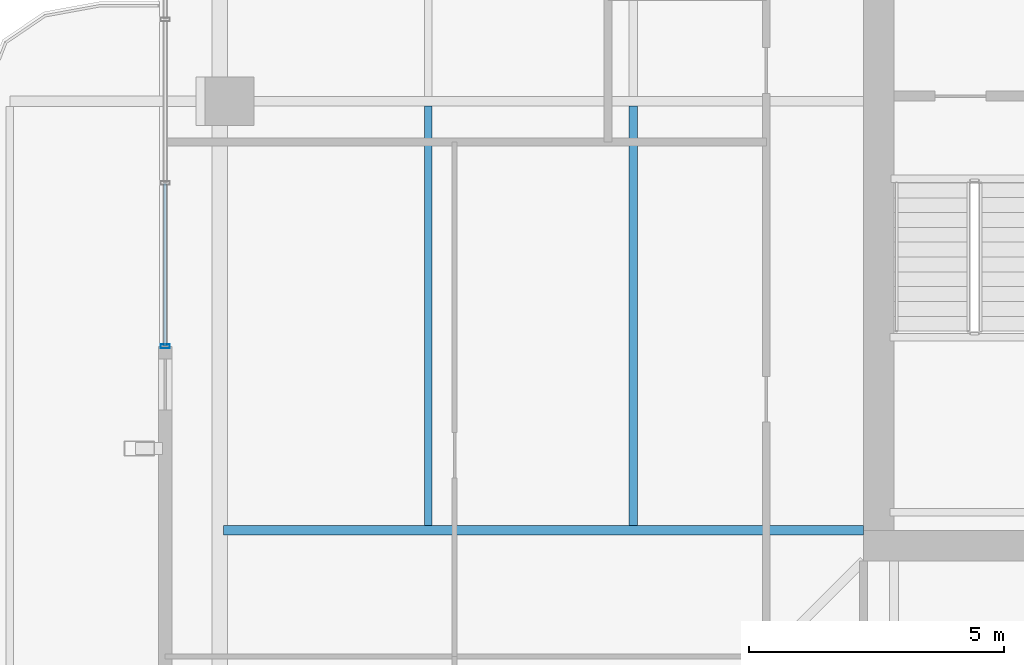
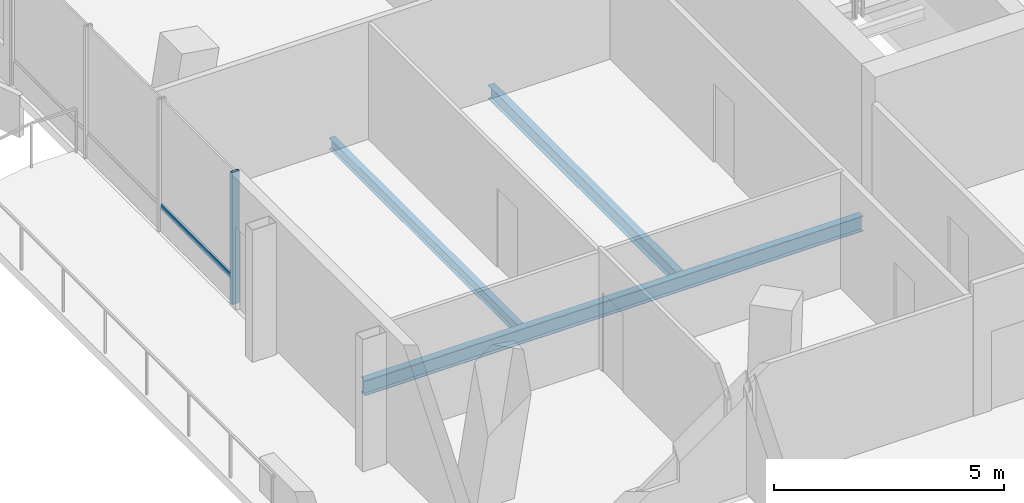
# One storey, part 6 of 20: 3 beams, 2 members, 1 element without a shape of its own.
"""IFC4 building model written with IfcOpenShell, lengths in metres."""

import ifcopenshell
import ifcopenshell.guid

model = None  # the IFC model being written
_history = None  # IfcOwnerHistory: only IFC2X3 demands one
_inside = {}  # id of a spatial element -> (the spatial element, [elements in it])
_under = {}  # id of a project, library or spatial element -> (it, [spatial elements below it])
_declared = {}  # id of a project -> (the project, [libraries it declares])
_typed = {}  # id of a type object -> (the type object, [elements of that type])
_made_of = {}  # id of a material, layer set ... -> (it, [elements and type objects made of it])


def new_model(schema):
    """Start an empty IFC model of exactly this schema.

    Asked for "IFC4X3", IfcOpenShell would pick the latest addendum, in which some entities
    have other attributes; the version numbers below select the first issue.
    IFC2X3 requires an IfcOwnerHistory on every rooted entity: one is made here for all.
    """
    global model, _history
    if schema == "IFC4X3":
        model = ifcopenshell.file(schema_version=(4, 3, 0, 0))
    else:
        model = ifcopenshell.file(schema=schema)
    _inside.clear()
    _under.clear()
    _declared.clear()
    _typed.clear()
    _made_of.clear()
    _history = None
    if model.schema == "IFC2X3":
        org = make("IfcOrganization", Name="unknown")
        user = make(
            "IfcPersonAndOrganization",
            ThePerson=make("IfcPerson", FamilyName="unknown"),
            TheOrganization=org,
        )
        app = make(
            "IfcApplication",
            ApplicationDeveloper=org,
            Version="unknown",
            ApplicationFullName="unknown",
            ApplicationIdentifier="unknown",
        )
        _history = make(
            "IfcOwnerHistory",
            OwningUser=user,
            OwningApplication=app,
            ChangeAction="ADDED",
            CreationDate=0,
        )
    return model


def make(cls, **values):
    """One entity of the class cls with the attributes given. An attribute that is None is left unset."""
    return model.create_entity(
        cls, **{name: value for name, value in values.items() if value is not None}
    )


def rooted(cls, **values):
    """An entity with a GlobalId (a new one), such as an element, a storey or a relation."""
    return make(cls, GlobalId=ifcopenshell.guid.new(), OwnerHistory=_history, **values)


def si_unit(unit_type, name, prefix=None):
    """IfcSIUnit, for example si_unit("LENGTHUNIT", "METRE", prefix="MILLI")."""
    return make("IfcSIUnit", UnitType=unit_type, Prefix=prefix, Name=name)


def assignment(units):
    """IfcUnitAssignment: the units of a project."""
    return None if units is None else make("IfcUnitAssignment", Units=units)


def point(xyz):
    """IfcCartesianPoint."""
    return None if xyz is None else make("IfcCartesianPoint", Coordinates=xyz)


def direction(xyz):
    """IfcDirection."""
    return None if xyz is None else make("IfcDirection", DirectionRatios=xyz)


def frame(location, z_axis=None, x_axis=None):
    """IfcAxis2Placement3D, a coordinate frame: its origin and axes. An axis left out is left unset."""
    return make(
        "IfcAxis2Placement3D",
        Location=point(location),
        Axis=direction(z_axis),
        RefDirection=direction(x_axis),
    )


def frame_2d(location, x_axis=None):
    """IfcAxis2Placement2D, a coordinate frame in the plane: its origin and x axis."""
    return make(
        "IfcAxis2Placement2D", Location=point(location), RefDirection=direction(x_axis)
    )


def origin():
    """The frame at (0, 0, 0) with its axes left unset."""
    return frame((0.0, 0.0, 0.0))


def origin_2d():
    """The frame at (0, 0) in the plane with its x axis left unset."""
    return frame_2d((0.0, 0.0))


def place(relative_to, where):
    """IfcLocalPlacement: puts the frame where relative to a parent placement (None: the world)."""
    return make(
        "IfcLocalPlacement", PlacementRelTo=relative_to, RelativePlacement=where
    )


def context(
    kind, dimensions, precision=None, world=None, true_north=None, identifier=None
):
    """IfcGeometricRepresentationContext, for example the 3D "Model" context."""
    return make(
        "IfcGeometricRepresentationContext",
        ContextIdentifier=identifier,
        ContextType=kind,
        CoordinateSpaceDimension=dimensions,
        Precision=precision,
        WorldCoordinateSystem=world,
        TrueNorth=true_north,
    )


def subcontext(parent, identifier, kind, view, scale=None):
    """IfcGeometricRepresentationSubContext, for example "Body" below "Model"."""
    return make(
        "IfcGeometricRepresentationSubContext",
        ContextIdentifier=identifier,
        ContextType=kind,
        ParentContext=parent,
        TargetScale=scale,
        TargetView=view,
    )


def project(units=None, contexts=None):
    """IfcProject with its units and contexts."""
    return rooted(
        "IfcProject",
        Name="project",
        RepresentationContexts=contexts,
        UnitsInContext=assignment(units),
    )


def spatial(cls, under=None, at=None, **own):
    """A site, building, storey or space (cls), placed at a placement, below another one or the project."""
    s = rooted(cls, ObjectPlacement=at, **own)
    if under is not None:
        _under.setdefault(under.id(), (under, []))[1].append(s)
    return s


def profile(cls, at=None, kind="AREA", **sizes):
    """A parametric profile (cls). Its sizes go by their IFC names, for example OverallWidth=200.0."""
    return make(cls, ProfileType=kind, Position=at, **sizes)


def hollow_rectangle(**sizes):
    """IfcRectangleHollowProfileDef."""
    return profile("IfcRectangleHollowProfileDef", **sizes)


def i_section(**sizes):
    """IfcIShapeProfileDef."""
    return profile("IfcIShapeProfileDef", **sizes)


def extrude(swept, where, along, depth):
    """IfcExtrudedAreaSolid: the profile swept, set in the frame where, extruded along a direction by depth."""
    return make(
        "IfcExtrudedAreaSolid",
        SweptArea=swept,
        Position=where,
        ExtrudedDirection=direction(along),
        Depth=depth,
    )


def shape(context_of_items, identifier, shape_type, items):
    """IfcShapeRepresentation: the items that make up one representation, for example the "Body"."""
    return make(
        "IfcShapeRepresentation",
        ContextOfItems=context_of_items,
        RepresentationIdentifier=identifier,
        RepresentationType=shape_type,
        Items=items,
    )


def material(Name=None, Category=None):
    """IfcMaterial."""
    return make("IfcMaterial", Name=Name, Category=Category)


def layer(
    of_material, thickness, ventilated=None, Name=None, Category=None, Priority=None
):
    """IfcMaterialLayer: one layer of a wall or slab, of a material (None: an air gap)."""
    return make(
        "IfcMaterialLayer",
        Material=of_material,
        LayerThickness=thickness,
        IsVentilated=ventilated,
        Name=Name,
        Category=Category,
        Priority=Priority,
    )


def layer_set(layers, Name=None):
    """IfcMaterialLayerSet."""
    return make("IfcMaterialLayerSet", MaterialLayers=layers, LayerSetName=Name)


def material_profile(
    of_material, cross_section, Name=None, Category=None, Priority=None
):
    """IfcMaterialProfile: a cross section and its material."""
    return make(
        "IfcMaterialProfile",
        Name=Name,
        Material=of_material,
        Profile=cross_section,
        Priority=Priority,
        Category=Category,
    )


def profile_set(profiles, Name=None, composite=None):
    """IfcMaterialProfileSet."""
    return make(
        "IfcMaterialProfileSet",
        Name=Name,
        MaterialProfiles=profiles,
        CompositeProfile=composite,
    )


def made_of(thing, what):
    """Note that an element or type object is made of a material, layer set ...; save() writes the relation."""
    if what is not None:
        _made_of.setdefault(what.id(), (what, []))[1].append(thing)
    return thing


def type_object(cls, material=None, **own):
    """A type object (cls), such as IfcWallType, which elements share."""
    return made_of(rooted(cls, **own), material)


def element(
    cls,
    number,
    at=None,
    inside=None,
    cuts=None,
    type_object=None,
    material=None,
    context=None,
    identifier="Body",
    shape_type=None,
    held_by="IfcProductDefinitionShape",
    body=None,
    shapes=None,
    **own,
):
    """One element of the class cls, such as IfcWall. Its Tag is "e" and its number.

    at: its placement. inside: the storey or other place that contains it. cuts: it is an
    opening in that element (IfcRelVoidsElement). A single representation is given by context,
    identifier, shape_type and body (its items); several are given by shapes. held_by: the class
    of the entity that holds the representations. save() writes the other relations.
    """
    e = rooted(cls, Tag="e%d" % number, ObjectPlacement=at, **own)
    if body is not None:
        shapes = [shape(context, identifier, shape_type, body)]
    if shapes is not None:
        e.Representation = make(held_by, Representations=shapes)
    if inside is not None:
        _inside.setdefault(inside.id(), (inside, []))[1].append(e)
    if cuts is not None:
        rooted(
            "IfcRelVoidsElement", RelatingBuildingElement=cuts, RelatedOpeningElement=e
        )
    if type_object is not None:
        _typed.setdefault(type_object.id(), (type_object, []))[1].append(e)
    return made_of(e, material)


def aggregate(whole, parts):
    """IfcRelAggregates: a whole, such as a stair, and the parts it consists of."""
    return rooted("IfcRelAggregates", RelatingObject=whole, RelatedObjects=parts)


def save(model, path):
    """Write the relations noted so far, then the file.

    IfcRelAggregates (storeys below a building ...), IfcRelContainedInSpatialStructure (elements
    in a storey), IfcRelDefinesByType, IfcRelAssociatesMaterial and IfcRelDeclares: one each for
    every whole, place, type object, material and project.
    """
    for whole, parts in _under.values():
        aggregate(whole, parts)
    for where, things in _inside.values():
        rooted(
            "IfcRelContainedInSpatialStructure",
            RelatedElements=things,
            RelatingStructure=where,
        )
    for kind, things in _typed.values():
        rooted("IfcRelDefinesByType", RelatedObjects=things, RelatingType=kind)
    for what, things in _made_of.values():
        rooted("IfcRelAssociatesMaterial", RelatedObjects=things, RelatingMaterial=what)
    for by, libraries in _declared.values():
        rooted("IfcRelDeclares", RelatingContext=by, RelatedDefinitions=libraries)
    model.write(path)


model = new_model("IFC4")

# Units and contexts
model_context = context("Model", 3, precision=1e-05, world=origin(), true_north=direction((0.0, 1.0)))
body_context = subcontext(model_context, "Body", "Model", "MODEL_VIEW")
ifc_project = project(units=[si_unit("LENGTHUNIT", "METRE"), si_unit("AREAUNIT", "SQUARE_METRE"), si_unit("VOLUMEUNIT", "CUBIC_METRE"), si_unit("PLANEANGLEUNIT", "RADIAN"), si_unit("MASSUNIT", "GRAM", prefix="KILO")], contexts=[model_context])

# Site, building, storey
site_placement = place(None, origin())
site = spatial("IfcSite", under=ifc_project, at=site_placement, CompositionType="ELEMENT")
building_placement = place(site_placement, origin())
building = spatial("IfcBuilding", under=site, at=building_placement, Name="Belovzor Exchange Tower", CompositionType="ELEMENT")
storey_placement = place(building_placement, frame((0.0, 0.0, 329.25)))
storey = spatial("IfcBuildingStorey", under=building, at=storey_placement, Name="L82", CompositionType="ELEMENT", Elevation=329.25)

# Beams
ifc_material_1 = material(Name="Steel S355", Category="steel")
ifc_material_profile_1 = material_profile(ifc_material_1, i_section(OverallWidth=0.169921875, OverallDepth=0.360107421875, WebThickness=0.008056640625, FlangeThickness=0.0126953125, at=origin_2d()))
ifc_profile_set_1 = profile_set([ifc_material_profile_1], Name="Steel S355")
beam_type_1 = type_object("IfcBeamType", Name="Secondary Infill Floor Joist IPE 360", PredefinedType="BEAM", material=ifc_profile_set_1)
beam_1_placement = place(storey_placement, frame((15.291015625, 20.489990234375, -0.419921875), z_axis=(0.0, 1.0, 0.0), x_axis=(-1.0, 0.0, 0.0)))
element("IfcBeam", 1, at=beam_1_placement, inside=storey, type_object=beam_type_1, Name="FJ-360 Secondary Infill Floor Joist IPE 360", PredefinedType="BEAM", context=body_context, shape_type="SweptSolid", body=[
    extrude(i_section(OverallWidth=0.169921875, OverallDepth=0.360107421875, WebThickness=0.008056640625, FlangeThickness=0.0126953125, at=origin_2d()), origin(), (0.0, 0.0, 1.0), 8.219970703125),
])
ifc_material_2 = material(Name="Steel S355", Category="steel")
ifc_material_profile_2 = material_profile(ifc_material_2, i_section(OverallWidth=0.14990234375, OverallDepth=0.300048828125, WebThickness=0.007080078125, FlangeThickness=0.0107421875, at=origin_2d()))
ifc_profile_set_2 = profile_set([ifc_material_profile_2], Name="Steel S355")
beam_type_2 = type_object("IfcBeamType", Name="Secondary Trim Floor Joist IPE 300", PredefinedType="BEAM", material=ifc_profile_set_2)
beam_2_placement = place(storey_placement, frame((11.282958984375, 20.489990234375, -0.389892578125), z_axis=(0.0, 1.0, 0.0), x_axis=(-1.0, 0.0, 0.0)))
element("IfcBeam", 2, at=beam_2_placement, inside=storey, type_object=beam_type_2, Name="FJ-300 Secondary Trim Floor Joist IPE 300", PredefinedType="BEAM", context=body_context, shape_type="SweptSolid", body=[
    extrude(i_section(OverallWidth=0.14990234375, OverallDepth=0.300048828125, WebThickness=0.007080078125, FlangeThickness=0.0107421875, at=origin_2d()), origin(), (0.0, 0.0, 1.0), 8.219970703125),
])

# Curtain wall, members
ifc_material_3 = material(Name="Anodised Aluminium Framing", Category="aluminium")
ifc_layer = layer(ifc_material_3, 0.179931640625)
ifc_layer_set = layer_set([ifc_layer], Name="Anodised Aluminium Framing")
curtain_wall_type = type_object("IfcCurtainWallType", Name="Recessed Loggia Low-Iron Triple-Glazed Curtain Wall", PredefinedType="NOTDEFINED", material=ifc_layer_set)
curtain_wall_placement = place(storey_placement, origin())
curtain_wall = element("IfcCurtainWall", 3, at=curtain_wall_placement, inside=storey, type_object=curtain_wall_type, Name="CW3 Recessed Loggia Low-Iron Triple-Glazed Curtain Wall L82", PredefinedType="NOTDEFINED")
ifc_material_4 = material(Name="Steel S355", Category="steel")
ifc_material_profile_3 = material_profile(ifc_material_4, hollow_rectangle(XDim=0.074951171875, YDim=0.179931640625, WallThickness=0.0048828125, at=origin_2d()))
ifc_profile_set_3 = profile_set([ifc_material_profile_3], Name="Steel S355")
member_type_1 = type_object("IfcMemberType", Name="Thermally Broken Curtain Wall Mullion 180x75", PredefinedType="MULLION", material=ifc_profile_set_3)
member_1_placement = place(storey_placement, frame((6.1298828125, 24.0, 0.0), z_axis=(0.0, 0.0, 1.0), x_axis=(0.0, 1.0, 0.0)))
member_1 = element("IfcMember", 4, at=member_1_placement, type_object=member_type_1, Name="CW-M180 Curtain Wall Mullion 1", PredefinedType="MULLION", context=body_context, shape_type="SweptSolid", body=[
    extrude(hollow_rectangle(XDim=0.074951171875, YDim=0.179931640625, WallThickness=0.0048828125, at=origin_2d()), origin(), (0.0, 0.0, 1.0), 3.510009765625),
])
ifc_material_5 = material(Name="Steel S355", Category="steel")
ifc_material_profile_4 = material_profile(ifc_material_5, hollow_rectangle(XDim=0.06005859375, YDim=0.14990234375, WallThickness=0.00390625, at=origin_2d()))
ifc_profile_set_4 = profile_set([ifc_material_profile_4], Name="Steel S355")
member_type_2 = type_object("IfcMemberType", Name="Thermally Broken Curtain Wall Transom 150x60", PredefinedType="USERDEFINED", material=ifc_profile_set_4)
member_2_placement = place(storey_placement, frame((6.1298828125, 24.008056640625, 0.632080078125), z_axis=(0.0, 1.0, 0.0), x_axis=(-1.0, 0.0, 0.0)))
member_2 = element("IfcMember", 5, at=member_2_placement, type_object=member_type_2, Name="CW-T150 Curtain Wall Transom 1", ObjectType="TRANSOM", PredefinedType="USERDEFINED", context=body_context, shape_type="SweptSolid", body=[
    extrude(hollow_rectangle(XDim=0.06005859375, YDim=0.14990234375, WallThickness=0.00390625, at=origin_2d()), origin(), (0.0, 0.0, 1.0), 3.183837890625),
])
aggregate(curtain_wall, [member_1, member_2])

# Beam
ifc_material_6 = material(Name="Steel S355", Category="steel")
ifc_material_profile_5 = material_profile(ifc_material_6, i_section(OverallWidth=0.179931640625, OverallDepth=0.39990234375, WebThickness=0.008544921875, FlangeThickness=0.013427734375, at=origin_2d()))
ifc_profile_set_5 = profile_set([ifc_material_profile_5], Name="Steel S355")
beam_type_3 = type_object("IfcBeamType", Name="Zone 5-6 Radial Composite Floor Beam IPE 400", PredefinedType="BEAM", material=ifc_profile_set_5)
beam_3_placement = place(storey_placement, frame((19.800048828125, 20.39990234375, -0.43994140625), z_axis=(-1.0, 0.0, 0.0), x_axis=(0.0, -1.0, 0.0)))
element("IfcBeam", 6, at=beam_3_placement, inside=storey, type_object=beam_type_3, Name="FB-400 Zone 5-6 Radial Composite Floor Beam IPE 400", PredefinedType="BEAM", context=body_context, shape_type="SweptSolid", body=[
    extrude(i_section(OverallWidth=0.179931640625, OverallDepth=0.39990234375, WebThickness=0.008544921875, FlangeThickness=0.013427734375, at=origin_2d()), origin(), (0.0, 0.0, 1.0), 12.525146484375),
])

save(model, "model.ifc")
